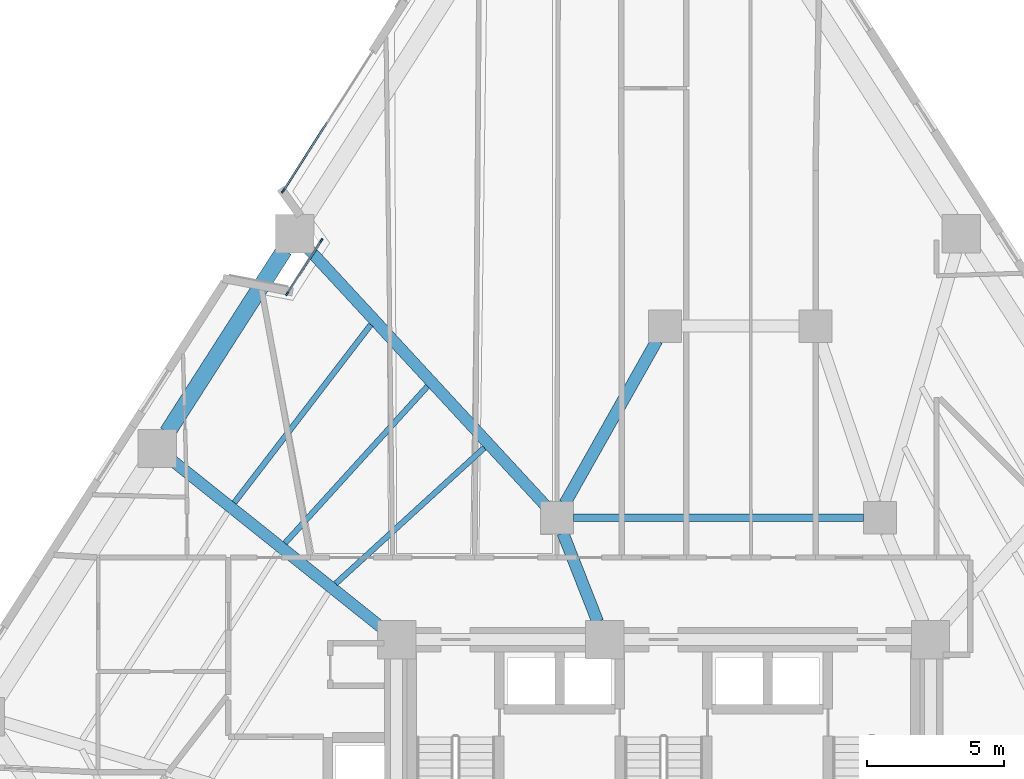
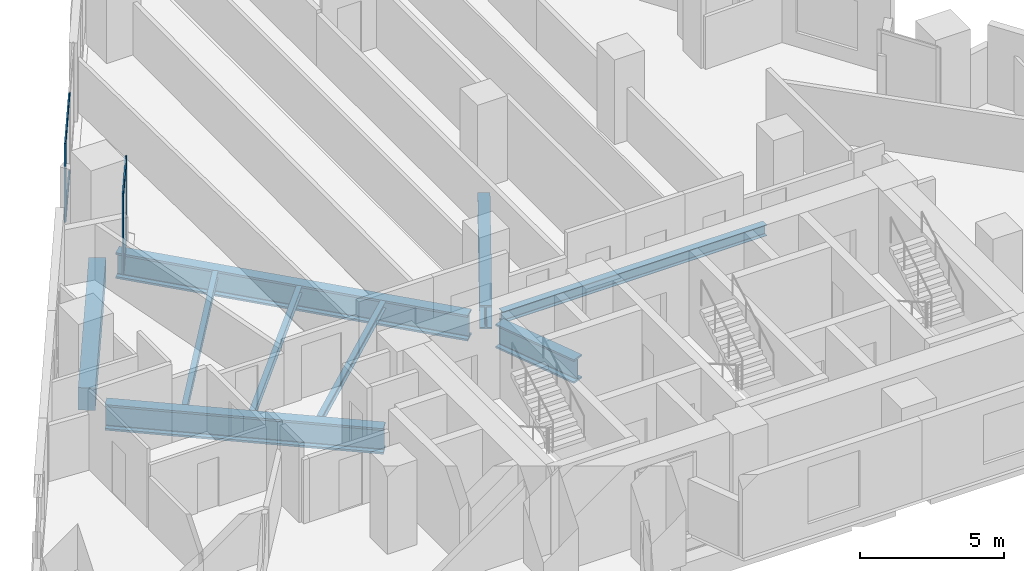
# One storey, part 3 of 15: 9 beams, 7 members, 2 elements without a shape of their own.
"""IFC4 building model written with IfcOpenShell, lengths in metres."""

import ifcopenshell
import ifcopenshell.guid

model = None  # the IFC model being written
_history = None  # IfcOwnerHistory: only IFC2X3 demands one
_inside = {}  # id of a spatial element -> (the spatial element, [elements in it])
_under = {}  # id of a project, library or spatial element -> (it, [spatial elements below it])
_declared = {}  # id of a project -> (the project, [libraries it declares])
_typed = {}  # id of a type object -> (the type object, [elements of that type])
_made_of = {}  # id of a material, layer set ... -> (it, [elements and type objects made of it])


def new_model(schema):
    """Start an empty IFC model of exactly this schema.

    Asked for "IFC4X3", IfcOpenShell would pick the latest addendum, in which some entities
    have other attributes; the version numbers below select the first issue.
    IFC2X3 requires an IfcOwnerHistory on every rooted entity: one is made here for all.
    """
    global model, _history
    if schema == "IFC4X3":
        model = ifcopenshell.file(schema_version=(4, 3, 0, 0))
    else:
        model = ifcopenshell.file(schema=schema)
    _inside.clear()
    _under.clear()
    _declared.clear()
    _typed.clear()
    _made_of.clear()
    _history = None
    if model.schema == "IFC2X3":
        org = make("IfcOrganization", Name="unknown")
        user = make(
            "IfcPersonAndOrganization",
            ThePerson=make("IfcPerson", FamilyName="unknown"),
            TheOrganization=org,
        )
        app = make(
            "IfcApplication",
            ApplicationDeveloper=org,
            Version="unknown",
            ApplicationFullName="unknown",
            ApplicationIdentifier="unknown",
        )
        _history = make(
            "IfcOwnerHistory",
            OwningUser=user,
            OwningApplication=app,
            ChangeAction="ADDED",
            CreationDate=0,
        )
    return model


def make(cls, **values):
    """One entity of the class cls with the attributes given. An attribute that is None is left unset."""
    return model.create_entity(
        cls, **{name: value for name, value in values.items() if value is not None}
    )


def rooted(cls, **values):
    """An entity with a GlobalId (a new one), such as an element, a storey or a relation."""
    return make(cls, GlobalId=ifcopenshell.guid.new(), OwnerHistory=_history, **values)


def si_unit(unit_type, name, prefix=None):
    """IfcSIUnit, for example si_unit("LENGTHUNIT", "METRE", prefix="MILLI")."""
    return make("IfcSIUnit", UnitType=unit_type, Prefix=prefix, Name=name)


def assignment(units):
    """IfcUnitAssignment: the units of a project."""
    return None if units is None else make("IfcUnitAssignment", Units=units)


def point(xyz):
    """IfcCartesianPoint."""
    return None if xyz is None else make("IfcCartesianPoint", Coordinates=xyz)


def direction(xyz):
    """IfcDirection."""
    return None if xyz is None else make("IfcDirection", DirectionRatios=xyz)


def frame(location, z_axis=None, x_axis=None):
    """IfcAxis2Placement3D, a coordinate frame: its origin and axes. An axis left out is left unset."""
    return make(
        "IfcAxis2Placement3D",
        Location=point(location),
        Axis=direction(z_axis),
        RefDirection=direction(x_axis),
    )


def frame_2d(location, x_axis=None):
    """IfcAxis2Placement2D, a coordinate frame in the plane: its origin and x axis."""
    return make(
        "IfcAxis2Placement2D", Location=point(location), RefDirection=direction(x_axis)
    )


def origin():
    """The frame at (0, 0, 0) with its axes left unset."""
    return frame((0.0, 0.0, 0.0))


def origin_2d():
    """The frame at (0, 0) in the plane with its x axis left unset."""
    return frame_2d((0.0, 0.0))


def place(relative_to, where):
    """IfcLocalPlacement: puts the frame where relative to a parent placement (None: the world)."""
    return make(
        "IfcLocalPlacement", PlacementRelTo=relative_to, RelativePlacement=where
    )


def context(
    kind, dimensions, precision=None, world=None, true_north=None, identifier=None
):
    """IfcGeometricRepresentationContext, for example the 3D "Model" context."""
    return make(
        "IfcGeometricRepresentationContext",
        ContextIdentifier=identifier,
        ContextType=kind,
        CoordinateSpaceDimension=dimensions,
        Precision=precision,
        WorldCoordinateSystem=world,
        TrueNorth=true_north,
    )


def subcontext(parent, identifier, kind, view, scale=None):
    """IfcGeometricRepresentationSubContext, for example "Body" below "Model"."""
    return make(
        "IfcGeometricRepresentationSubContext",
        ContextIdentifier=identifier,
        ContextType=kind,
        ParentContext=parent,
        TargetScale=scale,
        TargetView=view,
    )


def project(units=None, contexts=None):
    """IfcProject with its units and contexts."""
    return rooted(
        "IfcProject",
        Name="project",
        RepresentationContexts=contexts,
        UnitsInContext=assignment(units),
    )


def spatial(cls, under=None, at=None, **own):
    """A site, building, storey or space (cls), placed at a placement, below another one or the project."""
    s = rooted(cls, ObjectPlacement=at, **own)
    if under is not None:
        _under.setdefault(under.id(), (under, []))[1].append(s)
    return s


def profile(cls, at=None, kind="AREA", **sizes):
    """A parametric profile (cls). Its sizes go by their IFC names, for example OverallWidth=200.0."""
    return make(cls, ProfileType=kind, Position=at, **sizes)


def rectangle(**sizes):
    """IfcRectangleProfileDef."""
    return profile("IfcRectangleProfileDef", **sizes)


def i_section(**sizes):
    """IfcIShapeProfileDef."""
    return profile("IfcIShapeProfileDef", **sizes)


def extrude(swept, where, along, depth):
    """IfcExtrudedAreaSolid: the profile swept, set in the frame where, extruded along a direction by depth."""
    return make(
        "IfcExtrudedAreaSolid",
        SweptArea=swept,
        Position=where,
        ExtrudedDirection=direction(along),
        Depth=depth,
    )


def shape(context_of_items, identifier, shape_type, items):
    """IfcShapeRepresentation: the items that make up one representation, for example the "Body"."""
    return make(
        "IfcShapeRepresentation",
        ContextOfItems=context_of_items,
        RepresentationIdentifier=identifier,
        RepresentationType=shape_type,
        Items=items,
    )


def material(Name=None, Category=None):
    """IfcMaterial."""
    return make("IfcMaterial", Name=Name, Category=Category)


def layer(
    of_material, thickness, ventilated=None, Name=None, Category=None, Priority=None
):
    """IfcMaterialLayer: one layer of a wall or slab, of a material (None: an air gap)."""
    return make(
        "IfcMaterialLayer",
        Material=of_material,
        LayerThickness=thickness,
        IsVentilated=ventilated,
        Name=Name,
        Category=Category,
        Priority=Priority,
    )


def layer_set(layers, Name=None):
    """IfcMaterialLayerSet."""
    return make("IfcMaterialLayerSet", MaterialLayers=layers, LayerSetName=Name)


def material_profile(
    of_material, cross_section, Name=None, Category=None, Priority=None
):
    """IfcMaterialProfile: a cross section and its material."""
    return make(
        "IfcMaterialProfile",
        Name=Name,
        Material=of_material,
        Profile=cross_section,
        Priority=Priority,
        Category=Category,
    )


def profile_set(profiles, Name=None, composite=None):
    """IfcMaterialProfileSet."""
    return make(
        "IfcMaterialProfileSet",
        Name=Name,
        MaterialProfiles=profiles,
        CompositeProfile=composite,
    )


def made_of(thing, what):
    """Note that an element or type object is made of a material, layer set ...; save() writes the relation."""
    if what is not None:
        _made_of.setdefault(what.id(), (what, []))[1].append(thing)
    return thing


def type_object(cls, material=None, **own):
    """A type object (cls), such as IfcWallType, which elements share."""
    return made_of(rooted(cls, **own), material)


def element(
    cls,
    number,
    at=None,
    inside=None,
    cuts=None,
    type_object=None,
    material=None,
    context=None,
    identifier="Body",
    shape_type=None,
    held_by="IfcProductDefinitionShape",
    body=None,
    shapes=None,
    **own,
):
    """One element of the class cls, such as IfcWall. Its Tag is "e" and its number.

    at: its placement. inside: the storey or other place that contains it. cuts: it is an
    opening in that element (IfcRelVoidsElement). A single representation is given by context,
    identifier, shape_type and body (its items); several are given by shapes. held_by: the class
    of the entity that holds the representations. save() writes the other relations.
    """
    e = rooted(cls, Tag="e%d" % number, ObjectPlacement=at, **own)
    if body is not None:
        shapes = [shape(context, identifier, shape_type, body)]
    if shapes is not None:
        e.Representation = make(held_by, Representations=shapes)
    if inside is not None:
        _inside.setdefault(inside.id(), (inside, []))[1].append(e)
    if cuts is not None:
        rooted(
            "IfcRelVoidsElement", RelatingBuildingElement=cuts, RelatedOpeningElement=e
        )
    if type_object is not None:
        _typed.setdefault(type_object.id(), (type_object, []))[1].append(e)
    return made_of(e, material)


def aggregate(whole, parts):
    """IfcRelAggregates: a whole, such as a stair, and the parts it consists of."""
    return rooted("IfcRelAggregates", RelatingObject=whole, RelatedObjects=parts)


def save(model, path):
    """Write the relations noted so far, then the file.

    IfcRelAggregates (storeys below a building ...), IfcRelContainedInSpatialStructure (elements
    in a storey), IfcRelDefinesByType, IfcRelAssociatesMaterial and IfcRelDeclares: one each for
    every whole, place, type object, material and project.
    """
    for whole, parts in _under.values():
        aggregate(whole, parts)
    for where, things in _inside.values():
        rooted(
            "IfcRelContainedInSpatialStructure",
            RelatedElements=things,
            RelatingStructure=where,
        )
    for kind, things in _typed.values():
        rooted("IfcRelDefinesByType", RelatedObjects=things, RelatingType=kind)
    for what, things in _made_of.values():
        rooted("IfcRelAssociatesMaterial", RelatedObjects=things, RelatingMaterial=what)
    for by, libraries in _declared.values():
        rooted("IfcRelDeclares", RelatingContext=by, RelatedDefinitions=libraries)
    model.write(path)


model = new_model("IFC4")

# Units and contexts
model_context = context("Model", 3, precision=1e-05, world=origin(), true_north=direction((0.0, 1.0)))
body_context = subcontext(model_context, "Body", "Model", "MODEL_VIEW")
ifc_project = project(units=[si_unit("LENGTHUNIT", "METRE"), si_unit("AREAUNIT", "SQUARE_METRE"), si_unit("VOLUMEUNIT", "CUBIC_METRE"), si_unit("PLANEANGLEUNIT", "RADIAN"), si_unit("MASSUNIT", "GRAM", prefix="KILO")], contexts=[model_context])

# Site, building, storey
site_placement = place(None, origin())
site = spatial("IfcSite", under=ifc_project, at=site_placement, CompositionType="ELEMENT")
building_placement = place(site_placement, origin())
building = spatial("IfcBuilding", under=site, at=building_placement, Name="Almagre Mirador Tower", CompositionType="ELEMENT")
storey_placement = place(building_placement, frame((0.0, 0.0, 31.800048828125)))
storey = spatial("IfcBuildingStorey", under=building, at=storey_placement, Name="L06", CompositionType="ELEMENT", Elevation=31.800048828125)

# Beams
ifc_material_1 = material(Name="Steel ASTM A992 Grade 50", Category="steel")
ifc_material_profile_1 = material_profile(ifc_material_1, i_section(OverallWidth=0.281982421875, OverallDepth=0.467041015625, WebThickness=0.01220703125, FlangeThickness=0.01953125, FilletRadius=0.01611328125, at=origin_2d()), Name="W18X86")
ifc_profile_set_1 = profile_set([ifc_material_profile_1], Name="Steel ASTM A992 Grade 50")
beam_type_1 = type_object("IfcBeamType", Name="BM-BAL-W18X86", PredefinedType="JOIST", material=ifc_profile_set_1)
beam_1_placement = place(storey_placement, frame((34.0, 19.199951171875, -0.483642578125), z_axis=(1.0, 0.0, 0.0), x_axis=(0.0, 1.0, 0.0)))
element("IfcBeam", 1, at=beam_1_placement, inside=storey, type_object=beam_type_1, Name="L06 secondary header beam BB-01", PredefinedType="JOIST", context=body_context, shape_type="SweptSolid", body=[
    extrude(i_section(OverallWidth=0.281982421875, OverallDepth=0.467041015625, WebThickness=0.01220703125, FlangeThickness=0.01953125, FilletRadius=0.01611328125, at=origin_2d()), origin(), (0.0, 0.0, 1.0), 10.60009765625),
])
ifc_material_2 = material(Name="Steel ASTM A992 Grade 50", Category="steel")
ifc_material_profile_2 = material_profile(ifc_material_2, i_section(OverallWidth=0.205078125, OverallDepth=0.31005859375, WebThickness=0.009521484375, FlangeThickness=0.016357421875, FilletRadius=0.013916015625, at=origin_2d()), Name="W12X50")
ifc_profile_set_2 = profile_set([ifc_material_profile_2], Name="Steel ASTM A992 Grade 50")
beam_type_2 = type_object("IfcBeamType", Name="BM-JST-W12X50", PredefinedType="JOIST", material=ifc_profile_set_2)
beam_2_placement = place(storey_placement, frame((26.602783203125, 26.25341796875, -0.405029296875), z_axis=(-0.608540420171, -0.793522877439, 0.0), x_axis=(0.793522877439, -0.608540420171, 0.0)))
element("IfcBeam", 2, at=beam_2_placement, inside=storey, type_object=beam_type_2, Name="L06 secondary floor joist PC10-PC11.1", PredefinedType="JOIST", context=body_context, shape_type="SweptSolid", body=[
    extrude(i_section(OverallWidth=0.205078125, OverallDepth=0.31005859375, WebThickness=0.009521484375, FlangeThickness=0.016357421875, FilletRadius=0.013916015625, at=origin_2d()), origin(), (0.0, 0.0, 1.0), 8.190673828125),
])
beam_3_placement = place(storey_placement, frame((28.67626953125, 24.00439453125, -0.405029296875), z_axis=(-0.67260371892, -0.740002863032, 0.0), x_axis=(0.740002863032, -0.67260371892, 0.0)))
element("IfcBeam", 3, at=beam_3_placement, inside=storey, type_object=beam_type_2, Name="L06 secondary floor joist PC10-PC11.2", PredefinedType="JOIST", context=body_context, shape_type="SweptSolid", body=[
    extrude(i_section(OverallWidth=0.205078125, OverallDepth=0.31005859375, WebThickness=0.009521484375, FlangeThickness=0.016357421875, FilletRadius=0.013916015625, at=origin_2d()), origin(), (0.0, 0.0, 1.0), 7.740966796875),
])
beam_4_placement = place(storey_placement, frame((30.74951171875, 21.758056640625, -0.405029296875), z_axis=(-0.738082183243, -0.674710820114, 0.0), x_axis=(0.674710820114, -0.738082183243, 0.0)))
element("IfcBeam", 4, at=beam_4_placement, inside=storey, type_object=beam_type_2, Name="L06 secondary floor joist PC10-PC11.3", PredefinedType="JOIST", context=body_context, shape_type="SweptSolid", body=[
    extrude(i_section(OverallWidth=0.205078125, OverallDepth=0.31005859375, WebThickness=0.009521484375, FlangeThickness=0.016357421875, FilletRadius=0.013916015625, at=origin_2d()), origin(), (0.0, 0.0, 1.0), 7.3544921875),
])
ifc_material_3 = material(Name="Precast concrete C50/60", Category="concrete")
ifc_material_profile_3 = material_profile(ifc_material_3, rectangle(XDim=0.60009765625, YDim=0.949951171875, at=origin_2d()), Name="RC600X950")
ifc_profile_set_3 = profile_set([ifc_material_profile_3], Name="Precast concrete C50/60")
beam_type_3 = type_object("IfcBeamType", Name="BM-SPN-RC600X950", PredefinedType="SPANDREL", material=ifc_profile_set_3)
beam_5_placement = place(storey_placement, frame((23.4443359375, 28.983642578125, -0.72509765625), z_axis=(-0.539540486584, -0.841959656597, 0.0), x_axis=(0.841959656597, -0.539540486584, 0.0)))
element("IfcBeam", 5, at=beam_5_placement, inside=storey, type_object=beam_type_3, Name="L06 perimeter spandrel beam PC10-PC11", PredefinedType="SPANDREL", context=body_context, shape_type="SweptSolid", body=[
    extrude(rectangle(XDim=0.60009765625, YDim=0.949951171875, at=origin_2d()), origin(), (0.0, 0.0, 1.0), 7.911376953125),
])
ifc_material_4 = material(Name="Steel ASTM A992 Grade 50", Category="steel")
ifc_material_profile_4 = material_profile(ifc_material_4, i_section(OverallWidth=0.43701171875, OverallDepth=1.010986328125, WebThickness=0.041015625, FlangeThickness=0.073974609375, FilletRadius=0.028076171875, at=origin_2d()), Name="W36X529")
ifc_profile_set_4 = profile_set([ifc_material_profile_4], Name="Steel ASTM A992 Grade 50")
beam_type_4 = type_object("IfcBeamType", Name="BM-STL-W36X529", PredefinedType="BEAM", material=ifc_profile_set_4)
beam_6_placement = place(storey_placement, frame((37.05517578125, 25.677490234375, -0.755615234375), z_axis=(-0.491440637516, -0.870911074564, 0.0), x_axis=(0.870911074564, -0.491440637516, 0.0)))
element("IfcBeam", 6, at=beam_6_placement, inside=storey, type_object=beam_type_4, Name="L06 core tie girder MC7-MC8", PredefinedType="BEAM", context=body_context, shape_type="SweptSolid", body=[
    extrude(i_section(OverallWidth=0.43701171875, OverallDepth=1.010986328125, WebThickness=0.041015625, FlangeThickness=0.073974609375, FilletRadius=0.028076171875, at=origin_2d()), origin(), (0.0, 0.0, 1.0), 6.837646484375),
])
beam_7_placement = place(storey_placement, frame((33.61962890625, 18.6416015625, -0.755615234375), z_axis=(0.365956076985, -0.93063212373, 0.0), x_axis=(0.93063212373, 0.365956076985, 0.0)))
element("IfcBeam", 7, at=beam_7_placement, inside=storey, type_object=beam_type_4, Name="L06 core tie girder MC8-CC5", PredefinedType="BEAM", context=body_context, shape_type="SweptSolid", body=[
    extrude(i_section(OverallWidth=0.43701171875, OverallDepth=1.010986328125, WebThickness=0.041015625, FlangeThickness=0.073974609375, FilletRadius=0.028076171875, at=origin_2d()), origin(), (0.0, 0.0, 1.0), 3.481689453125),
])
ifc_material_5 = material(Name="Steel ASTM A913 Grade 65", Category="steel")
ifc_material_profile_5 = material_profile(ifc_material_5, i_section(OverallWidth=0.424072265625, OverallDepth=1.092041015625, WebThickness=0.04541015625, FlangeThickness=0.08203125, FilletRadius=0.030029296875, at=origin_2d()), Name="W40X593")
ifc_profile_set_5 = profile_set([ifc_material_profile_5], Name="Steel ASTM A913 Grade 65")
beam_type_5 = type_object("IfcBeamType", Name="BM-STL-W40X593", PredefinedType="BEAM", material=ifc_profile_set_5)
beam_8_placement = place(storey_placement, frame((24.296875, 29.05859375, -0.796142578125), z_axis=(0.678396377754, -0.734696096798, 0.0), x_axis=(0.734696096798, 0.678396377754, 0.0)))
element("IfcBeam", 8, at=beam_8_placement, inside=storey, type_object=beam_type_5, Name="L06 radial floor girder PC10-MC8", PredefinedType="BEAM", context=body_context, shape_type="SweptSolid", body=[
    extrude(i_section(OverallWidth=0.424072265625, OverallDepth=1.092041015625, WebThickness=0.04541015625, FlangeThickness=0.08203125, FilletRadius=0.030029296875, at=origin_2d()), origin(), (0.0, 0.0, 1.0), 12.818603515625),
])
beam_9_placement = place(storey_placement, frame((19.34521484375, 21.29638671875, -0.796142578125), z_axis=(0.78167052396, -0.623691584015, 0.0), x_axis=(0.623691584015, 0.78167052396, 0.0)))
element("IfcBeam", 9, at=beam_9_placement, inside=storey, type_object=beam_type_5, Name="L06 radial floor girder PC11-CC4", PredefinedType="BEAM", context=body_context, shape_type="SweptSolid", body=[
    extrude(i_section(OverallWidth=0.424072265625, OverallDepth=1.092041015625, WebThickness=0.04541015625, FlangeThickness=0.08203125, FilletRadius=0.030029296875, at=origin_2d()), origin(), (0.0, 0.0, 1.0), 9.79638671875),
])

# Curtain wall, members
ifc_material_6 = material(Name="Black anodized aluminium", Category="aluminium")
ifc_layer_1 = layer(ifc_material_6, 0.169921875)
ifc_layer_set_1 = layer_set([ifc_layer_1], Name="Black anodized aluminium")
curtain_wall_type_1 = type_object("IfcCurtainWallType", Name="CW-CRS-SYS", PredefinedType="NOTDEFINED", material=ifc_layer_set_1)
curtain_wall_1_placement = place(storey_placement, origin())
curtain_wall_1 = element("IfcCurtainWall", 10, at=curtain_wall_1_placement, inside=storey, type_object=curtain_wall_type_1, Name="L06 vertical crease curtain wall 01", PredefinedType="NOTDEFINED")
ifc_material_7 = material(Name="Black anodized aluminium", Category="aluminium")
ifc_material_profile_6 = material_profile(ifc_material_7, rectangle(XDim=0.06005859375, YDim=0.14990234375, at=origin_2d()), Name="CWM60X150")
ifc_profile_set_6 = profile_set([ifc_material_profile_6], Name="Black anodized aluminium")
member_type_1 = type_object("IfcMemberType", Name="MBR-CWM60X150", PredefinedType="MULLION", material=ifc_profile_set_6)
member_1_placement = place(storey_placement, frame((23.549560546875, 27.387451171875, 0.0), z_axis=(0.0, 0.0, 1.0), x_axis=(-0.841762109764, 0.539848636718, 0.0)))
member_1 = element("IfcMember", 11, at=member_1_placement, type_object=member_type_1, Name="CW-4 mullion 1", PredefinedType="MULLION", context=body_context, shape_type="SweptSolid", body=[
    extrude(rectangle(XDim=0.06005859375, YDim=0.14990234375, at=origin_2d()), origin(), (0.0, 0.0, 1.0), 3.349853515625),
])
member_2_placement = place(storey_placement, frame((24.79638671875, 29.33154296875, 0.0), z_axis=(0.0, 0.0, 1.0), x_axis=(-0.841762109764, 0.539848636718, 0.0)))
member_2 = element("IfcMember", 12, at=member_2_placement, type_object=member_type_1, Name="CW-4 mullion 2", PredefinedType="MULLION", context=body_context, shape_type="SweptSolid", body=[
    extrude(rectangle(XDim=0.06005859375, YDim=0.14990234375, at=origin_2d()), origin(), (0.0, 0.0, 1.0), 3.349853515625),
])

# Curtain wall, member
ifc_material_8 = material(Name="Black anodized aluminium", Category="aluminium")
ifc_layer_2 = layer(ifc_material_8, 0.18994140625)
ifc_layer_set_2 = layer_set([ifc_layer_2], Name="Black anodized aluminium")
curtain_wall_type_2 = type_object("IfcCurtainWallType", Name="CW-RES-L-SYS", PredefinedType="NOTDEFINED", material=ifc_layer_set_2)
curtain_wall_2_placement = place(storey_placement, origin())
curtain_wall_2 = element("IfcCurtainWall", 13, at=curtain_wall_2_placement, inside=storey, type_object=curtain_wall_type_2, Name="L06 curtain wall run 02", PredefinedType="NOTDEFINED")
ifc_material_9 = material(Name="Black anodized aluminium", Category="aluminium")
ifc_material_profile_7 = material_profile(ifc_material_9, rectangle(XDim=0.06494140625, YDim=0.179931640625, at=origin_2d()), Name="CWM65X180")
ifc_profile_set_7 = profile_set([ifc_material_profile_7], Name="Black anodized aluminium")
member_type_2 = type_object("IfcMemberType", Name="MBR-CWM65X180", PredefinedType="MULLION", material=ifc_profile_set_7)
member_3_placement = place(storey_placement, frame((23.405517578125, 31.146484375, 0.0), z_axis=(0.0, 0.0, 1.0), x_axis=(-0.841967002982, 0.539529022287, 0.0)))
member_3 = element("IfcMember", 14, at=member_3_placement, type_object=member_type_2, Name="CW-2 mullion 1", PredefinedType="MULLION", context=body_context, shape_type="SweptSolid", body=[
    extrude(rectangle(XDim=0.06494140625, YDim=0.179931640625, at=origin_2d()), origin(), (0.0, 0.0, 1.0), 3.349853515625),
])

# Member
ifc_material_10 = material(Name="Black anodized aluminium", Category="aluminium")
ifc_material_profile_8 = material_profile(ifc_material_10, rectangle(XDim=0.06005859375, YDim=0.1298828125, at=origin_2d()), Name="CWT60X130")
ifc_profile_set_8 = profile_set([ifc_material_profile_8], Name="Black anodized aluminium")
member_type_3 = type_object("IfcMemberType", Name="MBR-CWT60X130", PredefinedType="USERDEFINED", material=ifc_profile_set_8)
member_4_placement = place(storey_placement, frame((23.565673828125, 27.41259765625, 0.030029296875), z_axis=(0.539863308408, 0.841752700165, 0.0), x_axis=(-0.841752700165, 0.539863308408, 0.0)))
member_4 = element("IfcMember", 15, at=member_4_placement, type_object=member_type_3, Name="CW-4 transom 1.1", ObjectType="TRANSOM", PredefinedType="USERDEFINED", context=body_context, shape_type="SweptSolid", body=[
    extrude(rectangle(XDim=0.06005859375, YDim=0.1298828125, at=origin_2d()), origin(), (0.0, 0.0, 1.0), 2.249755859375),
])

member_5_placement = place(storey_placement, frame((23.565673828125, 27.41259765625, 3.320068359375), z_axis=(0.539863308408, 0.841752700165, 0.0), x_axis=(-0.841752700165, 0.539863308408, 0.0)))
member_5 = element("IfcMember", 16, at=member_5_placement, type_object=member_type_3, Name="CW-4 transom 1.2", ObjectType="TRANSOM", PredefinedType="USERDEFINED", context=body_context, shape_type="SweptSolid", body=[
    extrude(rectangle(XDim=0.06005859375, YDim=0.1298828125, at=origin_2d()), origin(), (0.0, 0.0, 1.0), 2.249755859375),
])

aggregate(curtain_wall_1, [member_1, member_2, member_4, member_5])

member_6_placement = place(storey_placement, frame((23.423095703125, 31.173828125, 0.030029296875), z_axis=(0.539561682535, 0.841946073534, 0.0), x_axis=(-0.841946073534, 0.539561682535, 0.0)))
member_6 = element("IfcMember", 17, at=member_6_placement, type_object=member_type_3, Name="CW-2 transom 1.1", ObjectType="TRANSOM", PredefinedType="USERDEFINED", context=body_context, shape_type="SweptSolid", body=[
    extrude(rectangle(XDim=0.06005859375, YDim=0.1298828125, at=origin_2d()), origin(), (0.0, 0.0, 1.0), 2.931640625),
])

member_7_placement = place(storey_placement, frame((23.423095703125, 31.173828125, 3.320068359375), z_axis=(0.539561682535, 0.841946073534, 0.0), x_axis=(-0.841946073534, 0.539561682535, 0.0)))
member_7 = element("IfcMember", 18, at=member_7_placement, type_object=member_type_3, Name="CW-2 transom 1.2", ObjectType="TRANSOM", PredefinedType="USERDEFINED", context=body_context, shape_type="SweptSolid", body=[
    extrude(rectangle(XDim=0.06005859375, YDim=0.1298828125, at=origin_2d()), origin(), (0.0, 0.0, 1.0), 2.931640625),
])

aggregate(curtain_wall_2, [member_3, member_6, member_7])

save(model, "model.ifc")
